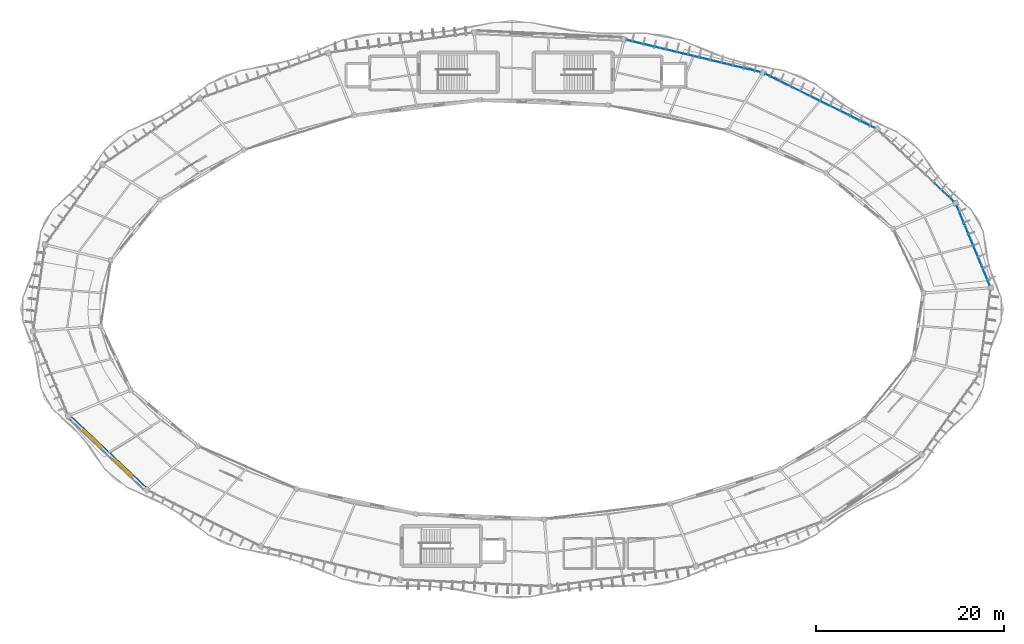
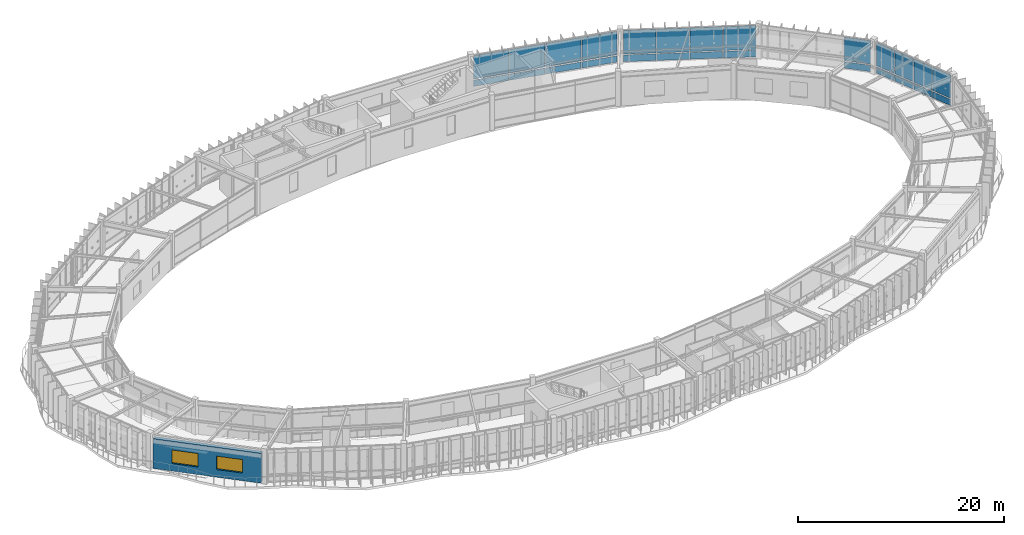
# One storey, part 66 of 79: 26 plates, 2 windows, 1 wall, 2 openings, 4 elements without a shape of their own.
"""IFC4 building model written with IfcOpenShell, lengths in metres."""

from ifc_helpers import new_model, si_unit, direction, frame, frame_2d, origin, origin_2d, place, context, subcontext, project, spatial, rectangle, extrude, material, layer, layer_set, type_object, element, fill, aggregate, save


model = new_model("IFC4")

# Units and contexts
model_context = context("Model", 3, precision=1e-05, world=origin(), true_north=direction((0.0, 1.0)))
body_context = subcontext(model_context, "Body", "Model", "MODEL_VIEW")
ifc_project = project(units=[si_unit("LENGTHUNIT", "METRE"), si_unit("AREAUNIT", "SQUARE_METRE"), si_unit("VOLUMEUNIT", "CUBIC_METRE"), si_unit("PLANEANGLEUNIT", "RADIAN"), si_unit("MASSUNIT", "GRAM", prefix="KILO"), si_unit("THERMODYNAMICTEMPERATUREUNIT", "KELVIN"), si_unit("POWERUNIT", "WATT")], contexts=[model_context])

# Site, building, storey
site_placement = place(None, origin())
site = spatial("IfcSite", under=ifc_project, at=site_placement, CompositionType="ELEMENT")
building_placement = place(site_placement, origin())
building = spatial("IfcBuilding", under=site, at=building_placement, Name="Darbajah Civic Hall", CompositionType="ELEMENT")
storey_placement = place(building_placement, frame((0.0, 0.0, 22.199951171875)))
storey = spatial("IfcBuildingStorey", under=building, at=storey_placement, Name="L05", CompositionType="ELEMENT", Elevation=22.199951171875)

# Curtain wall, plates
ifc_material_1 = material(Name="Anodised Bronze Aluminium and Low-E Glazing", Category="aluminium")
curtain_wall_type_1 = type_object("IfcCurtainWallType", Name="Unitised Curtain Wall CW-79 13000x3900", PredefinedType="USERDEFINED", material=ifc_material_1)
curtain_wall_1_placement = place(storey_placement, origin())
curtain_wall_1 = element("IfcCurtainWall", 1, at=curtain_wall_1_placement, inside=storey, type_object=curtain_wall_type_1, Name="L05 unitised curtain wall CW-V1O-L05-02", ObjectType="UNITISED CURTAIN WALL", PredefinedType="USERDEFINED")
ifc_material_2 = material(Name="Low-E Solar Control Double Glazing", Category="glass")
ifc_layer_1 = layer(ifc_material_2, 0.02392578125, Name="Low-E Solar Control Double Glazing")
ifc_layer_set_1 = layer_set([ifc_layer_1], Name="Low-E Solar Control Double Glazing")
plate_type_1 = type_object("IfcPlateType", Name="Solar Double Glazing 24mm", PredefinedType="CURTAIN_PANEL", material=ifc_layer_set_1)
plate_1_placement = place(storey_placement, frame((126.177978515625, 109.800048828125, 0.10009765625), z_axis=(0.0, 0.0, 1.0), x_axis=(-0.89656374724, 0.442914717678, 0.0)))
plate_1 = element("IfcPlate", 2, at=plate_1_placement, type_object=plate_type_1, Name="CW-V1O-L05-02 glazed panel 1.1", PredefinedType="CURTAIN_PANEL", context=body_context, shape_type="SweptSolid", body=[
    extrude(rectangle(XDim=3.1796875, YDim=0.02392578125, at=origin_2d()), origin(), (0.0, 0.0, 1.0), 0.800048828125),
])
plate_2_placement = place(storey_placement, frame((126.177978515625, 109.800048828125, 1.0), z_axis=(0.0, 0.0, 1.0), x_axis=(-0.89656374724, 0.442914717678, 0.0)))
plate_2 = element("IfcPlate", 3, at=plate_2_placement, type_object=plate_type_1, Name="CW-V1O-L05-02 glazed panel 1.2", PredefinedType="CURTAIN_PANEL", context=body_context, shape_type="SweptSolid", body=[
    extrude(rectangle(XDim=3.1796875, YDim=0.02392578125, at=origin_2d()), origin(), (0.0, 0.0, 1.0), 2.820068359375),
])
plate_3_placement = place(storey_placement, frame((123.268798828125, 111.2373046875, 0.10009765625), z_axis=(0.0, 0.0, 1.0), x_axis=(-0.89656374724, 0.442914717678, 0.0)))
plate_3 = element("IfcPlate", 4, at=plate_3_placement, type_object=plate_type_1, Name="CW-V1O-L05-02 glazed panel 2.1", PredefinedType="CURTAIN_PANEL", context=body_context, shape_type="SweptSolid", body=[
    extrude(rectangle(XDim=3.1796875, YDim=0.02392578125, at=origin_2d()), origin(), (0.0, 0.0, 1.0), 0.800048828125),
])
plate_4_placement = place(storey_placement, frame((123.268798828125, 111.2373046875, 1.0), z_axis=(0.0, 0.0, 1.0), x_axis=(-0.89656374724, 0.442914717678, 0.0)))
plate_4 = element("IfcPlate", 5, at=plate_4_placement, type_object=plate_type_1, Name="CW-V1O-L05-02 glazed panel 2.2", PredefinedType="CURTAIN_PANEL", context=body_context, shape_type="SweptSolid", body=[
    extrude(rectangle(XDim=3.1796875, YDim=0.02392578125, at=origin_2d()), origin(), (0.0, 0.0, 1.0), 2.820068359375),
])
plate_5_placement = place(storey_placement, frame((120.359375, 112.67431640625, 0.10009765625), z_axis=(0.0, 0.0, 1.0), x_axis=(-0.89656374724, 0.442914717678, 0.0)))
plate_5 = element("IfcPlate", 6, at=plate_5_placement, type_object=plate_type_1, Name="CW-V1O-L05-02 glazed panel 3.1", PredefinedType="CURTAIN_PANEL", context=body_context, shape_type="SweptSolid", body=[
    extrude(rectangle(XDim=3.1796875, YDim=0.02392578125, at=origin_2d()), origin(), (0.0, 0.0, 1.0), 0.800048828125),
])
plate_6_placement = place(storey_placement, frame((120.359375, 112.67431640625, 1.0), z_axis=(0.0, 0.0, 1.0), x_axis=(-0.89656374724, 0.442914717678, 0.0)))
plate_6 = element("IfcPlate", 7, at=plate_6_placement, type_object=plate_type_1, Name="CW-V1O-L05-02 glazed panel 3.2", PredefinedType="CURTAIN_PANEL", context=body_context, shape_type="SweptSolid", body=[
    extrude(rectangle(XDim=3.1796875, YDim=0.02392578125, at=origin_2d()), origin(), (0.0, 0.0, 1.0), 2.820068359375),
])
plate_7_placement = place(storey_placement, frame((117.4501953125, 114.111572265625, 0.10009765625), z_axis=(0.0, 0.0, 1.0), x_axis=(-0.89656374724, 0.442914717678, 0.0)))
plate_7 = element("IfcPlate", 8, at=plate_7_placement, type_object=plate_type_1, Name="CW-V1O-L05-02 glazed panel 4.1", PredefinedType="CURTAIN_PANEL", context=body_context, shape_type="SweptSolid", body=[
    extrude(rectangle(XDim=3.1796875, YDim=0.02392578125, at=origin_2d()), origin(), (0.0, 0.0, 1.0), 0.800048828125),
])
plate_8_placement = place(storey_placement, frame((117.4501953125, 114.111572265625, 1.0), z_axis=(0.0, 0.0, 1.0), x_axis=(-0.89656374724, 0.442914717678, 0.0)))
plate_8 = element("IfcPlate", 9, at=plate_8_placement, type_object=plate_type_1, Name="CW-V1O-L05-02 glazed panel 4.2", PredefinedType="CURTAIN_PANEL", context=body_context, shape_type="SweptSolid", body=[
    extrude(rectangle(XDim=3.1796875, YDim=0.02392578125, at=origin_2d()), origin(), (0.0, 0.0, 1.0), 2.820068359375),
])
aggregate(curtain_wall_1, [plate_1, plate_2, plate_3, plate_4, plate_5, plate_6, plate_7, plate_8])

curtain_wall_type_2 = type_object("IfcCurtainWallType", Name="Unitised Curtain Wall CW-63 10900x3900", PredefinedType="USERDEFINED", material=ifc_material_1)
curtain_wall_2_placement = place(storey_placement, origin())
curtain_wall_2 = element("IfcCurtainWall", 10, at=curtain_wall_2_placement, inside=storey, type_object=curtain_wall_type_2, Name="L05 unitised curtain wall CW-V1O-L05-01", ObjectType="UNITISED CURTAIN WALL", PredefinedType="USERDEFINED")
ifc_layer_2 = layer(ifc_material_2, 0.028076171875, Name="Low-E Solar Control Double Glazing")
ifc_layer_set_2 = layer_set([ifc_layer_2], Name="Low-E Solar Control Double Glazing")
plate_type_2 = type_object("IfcPlateType", Name="Solar Double Glazing 28mm", PredefinedType="CURTAIN_PANEL", material=ifc_layer_set_2)
plate_9_placement = place(storey_placement, frame((135.024658203125, 102.215576171875, 0.1201171875), z_axis=(0.0, 0.0, 1.0), x_axis=(-0.727173991201, 0.686453193248, 0.0)))
plate_9 = element("IfcPlate", 11, at=plate_9_placement, type_object=plate_type_2, Name="CW-V1O-L05-01 glazed panel 1.1", PredefinedType="CURTAIN_PANEL", context=body_context, shape_type="SweptSolid", body=[
    extrude(rectangle(XDim=2.65771484375, YDim=0.028076171875, at=origin_2d()), origin(), (0.0, 0.0, 1.0), 0.77001953125),
])
plate_10_placement = place(storey_placement, frame((135.024658203125, 102.215576171875, 1.010009765625), z_axis=(0.0, 0.0, 1.0), x_axis=(-0.727173991201, 0.686453193248, 0.0)))
plate_10 = element("IfcPlate", 12, at=plate_10_placement, type_object=plate_type_2, Name="CW-V1O-L05-01 glazed panel 1.2", PredefinedType="CURTAIN_PANEL", context=body_context, shape_type="SweptSolid", body=[
    extrude(rectangle(XDim=2.65771484375, YDim=0.028076171875, at=origin_2d()), origin(), (0.0, 0.0, 1.0), 2.7900390625),
])
aggregate(curtain_wall_2, [plate_9, plate_10])

curtain_wall_type_3 = type_object("IfcCurtainWallType", Name="Unitised Curtain Wall CW-77 9200x3900", PredefinedType="USERDEFINED", material=ifc_material_1)
curtain_wall_3_placement = place(storey_placement, origin())
curtain_wall_3 = element("IfcCurtainWall", 13, at=curtain_wall_3_placement, inside=storey, type_object=curtain_wall_type_3, Name="L05 unitised curtain wall CW-V1O-L05-00", ObjectType="UNITISED CURTAIN WALL", PredefinedType="USERDEFINED")
ifc_layer_3 = layer(ifc_material_2, 0.031982421875, Name="Low-E Solar Control Double Glazing")
ifc_layer_set_3 = layer_set([ifc_layer_3], Name="Low-E Solar Control Double Glazing")
plate_type_3 = type_object("IfcPlateType", Name="Solar Double Glazing 32mm", PredefinedType="CURTAIN_PANEL", material=ifc_layer_set_3)
plate_11_placement = place(storey_placement, frame((139.3974609375, 93.42822265625, 0.14013671875), z_axis=(0.0, 0.0, 1.0), x_axis=(-0.383328328644, 0.923612143954, 0.0)))
plate_11 = element("IfcPlate", 14, at=plate_11_placement, type_object=plate_type_3, Name="CW-V1O-L05-00 glazed panel 1.1", PredefinedType="CURTAIN_PANEL", context=body_context, shape_type="SweptSolid", body=[
    extrude(rectangle(XDim=2.2158203125, YDim=0.031982421875, at=origin_2d()), origin(), (0.0, 0.0, 1.0), 0.739990234375),
])
plate_12_placement = place(storey_placement, frame((139.3974609375, 93.42822265625, 1.02001953125), z_axis=(0.0, 0.0, 1.0), x_axis=(-0.383328328644, 0.923612143954, 0.0)))
plate_12 = element("IfcPlate", 15, at=plate_12_placement, type_object=plate_type_3, Name="CW-V1O-L05-00 glazed panel 1.2", PredefinedType="CURTAIN_PANEL", context=body_context, shape_type="SweptSolid", body=[
    extrude(rectangle(XDim=2.2158203125, YDim=0.031982421875, at=origin_2d()), origin(), (0.0, 0.0, 1.0), 2.760009765625),
])
plate_13_placement = place(storey_placement, frame((138.519287109375, 95.5439453125, 0.14013671875), z_axis=(0.0, 0.0, 1.0), x_axis=(-0.383328328644, 0.923612143954, 0.0)))
plate_13 = element("IfcPlate", 16, at=plate_13_placement, type_object=plate_type_3, Name="CW-V1O-L05-00 glazed panel 2.1", PredefinedType="CURTAIN_PANEL", context=body_context, shape_type="SweptSolid", body=[
    extrude(rectangle(XDim=2.2158203125, YDim=0.031982421875, at=origin_2d()), origin(), (0.0, 0.0, 1.0), 0.739990234375),
])
plate_14_placement = place(storey_placement, frame((138.519287109375, 95.5439453125, 1.02001953125), z_axis=(0.0, 0.0, 1.0), x_axis=(-0.383328328644, 0.923612143954, 0.0)))
plate_14 = element("IfcPlate", 17, at=plate_14_placement, type_object=plate_type_3, Name="CW-V1O-L05-00 glazed panel 2.2", PredefinedType="CURTAIN_PANEL", context=body_context, shape_type="SweptSolid", body=[
    extrude(rectangle(XDim=2.2158203125, YDim=0.031982421875, at=origin_2d()), origin(), (0.0, 0.0, 1.0), 2.760009765625),
])
plate_15_placement = place(storey_placement, frame((137.641357421875, 97.659912109375, 0.14013671875), z_axis=(0.0, 0.0, 1.0), x_axis=(-0.383328328644, 0.923612143954, 0.0)))
plate_15 = element("IfcPlate", 18, at=plate_15_placement, type_object=plate_type_3, Name="CW-V1O-L05-00 glazed panel 3.1", PredefinedType="CURTAIN_PANEL", context=body_context, shape_type="SweptSolid", body=[
    extrude(rectangle(XDim=2.2158203125, YDim=0.031982421875, at=origin_2d()), origin(), (0.0, 0.0, 1.0), 0.739990234375),
])
plate_16_placement = place(storey_placement, frame((137.641357421875, 97.659912109375, 1.02001953125), z_axis=(0.0, 0.0, 1.0), x_axis=(-0.383328328644, 0.923612143954, 0.0)))
plate_16 = element("IfcPlate", 19, at=plate_16_placement, type_object=plate_type_3, Name="CW-V1O-L05-00 glazed panel 3.2", PredefinedType="CURTAIN_PANEL", context=body_context, shape_type="SweptSolid", body=[
    extrude(rectangle(XDim=2.2158203125, YDim=0.031982421875, at=origin_2d()), origin(), (0.0, 0.0, 1.0), 2.760009765625),
])
plate_17_placement = place(storey_placement, frame((136.76318359375, 99.775634765625, 0.14013671875), z_axis=(0.0, 0.0, 1.0), x_axis=(-0.383328328644, 0.923612143954, 0.0)))
plate_17 = element("IfcPlate", 20, at=plate_17_placement, type_object=plate_type_3, Name="CW-V1O-L05-00 glazed panel 4.1", PredefinedType="CURTAIN_PANEL", context=body_context, shape_type="SweptSolid", body=[
    extrude(rectangle(XDim=2.2158203125, YDim=0.031982421875, at=origin_2d()), origin(), (0.0, 0.0, 1.0), 0.739990234375),
])
plate_18_placement = place(storey_placement, frame((136.76318359375, 99.775634765625, 1.02001953125), z_axis=(0.0, 0.0, 1.0), x_axis=(-0.383328328644, 0.923612143954, 0.0)))
plate_18 = element("IfcPlate", 21, at=plate_18_placement, type_object=plate_type_3, Name="CW-V1O-L05-00 glazed panel 4.2", PredefinedType="CURTAIN_PANEL", context=body_context, shape_type="SweptSolid", body=[
    extrude(rectangle(XDim=2.2158203125, YDim=0.031982421875, at=origin_2d()), origin(), (0.0, 0.0, 1.0), 2.760009765625),
])
aggregate(curtain_wall_3, [plate_11, plate_12, plate_13, plate_14, plate_15, plate_16, plate_17, plate_18])

curtain_wall_type_4 = type_object("IfcCurtainWallType", Name="Unitised Curtain Wall CW-64 14600x3900", PredefinedType="USERDEFINED", material=ifc_material_1)
curtain_wall_4_placement = place(storey_placement, origin())
curtain_wall_4 = element("IfcCurtainWall", 22, at=curtain_wall_4_placement, inside=storey, type_object=curtain_wall_type_4, Name="L05 unitised curtain wall CW-V1O-L05-03", ObjectType="UNITISED CURTAIN WALL", PredefinedType="USERDEFINED")
plate_19_placement = place(storey_placement, frame((113.70263671875, 115.442626953125, 0.14013671875), z_axis=(0.0, 0.0, 1.0), x_axis=(-0.972492018808, 0.232936200179, 0.0)))
plate_19 = element("IfcPlate", 23, at=plate_19_placement, type_object=plate_type_3, Name="CW-V1O-L05-03 glazed panel 1.1", PredefinedType="CURTAIN_PANEL", context=body_context, shape_type="SweptSolid", body=[
    extrude(rectangle(XDim=3.576171875, YDim=0.031982421875, at=origin_2d()), origin(), (0.0, 0.0, 1.0), 0.739990234375),
])
plate_20_placement = place(storey_placement, frame((113.70263671875, 115.442626953125, 1.02001953125), z_axis=(0.0, 0.0, 1.0), x_axis=(-0.972492018808, 0.232936200179, 0.0)))
plate_20 = element("IfcPlate", 24, at=plate_20_placement, type_object=plate_type_3, Name="CW-V1O-L05-03 glazed panel 1.2", PredefinedType="CURTAIN_PANEL", context=body_context, shape_type="SweptSolid", body=[
    extrude(rectangle(XDim=3.576171875, YDim=0.031982421875, at=origin_2d()), origin(), (0.0, 0.0, 1.0), 2.760009765625),
])
plate_21_placement = place(storey_placement, frame((110.15185546875, 116.293701171875, 0.14013671875), z_axis=(0.0, 0.0, 1.0), x_axis=(-0.972492018808, 0.232936200179, 0.0)))
plate_21 = element("IfcPlate", 25, at=plate_21_placement, type_object=plate_type_3, Name="CW-V1O-L05-03 glazed panel 2.1", PredefinedType="CURTAIN_PANEL", context=body_context, shape_type="SweptSolid", body=[
    extrude(rectangle(XDim=3.576171875, YDim=0.031982421875, at=origin_2d()), origin(), (0.0, 0.0, 1.0), 0.739990234375),
])
plate_22_placement = place(storey_placement, frame((110.15185546875, 116.293701171875, 1.02001953125), z_axis=(0.0, 0.0, 1.0), x_axis=(-0.972492018808, 0.232936200179, 0.0)))
plate_22 = element("IfcPlate", 26, at=plate_22_placement, type_object=plate_type_3, Name="CW-V1O-L05-03 glazed panel 2.2", PredefinedType="CURTAIN_PANEL", context=body_context, shape_type="SweptSolid", body=[
    extrude(rectangle(XDim=3.576171875, YDim=0.031982421875, at=origin_2d()), origin(), (0.0, 0.0, 1.0), 2.760009765625),
])
plate_23_placement = place(storey_placement, frame((106.601318359375, 117.144287109375, 0.14013671875), z_axis=(0.0, 0.0, 1.0), x_axis=(-0.972492018808, 0.232936200179, 0.0)))
plate_23 = element("IfcPlate", 27, at=plate_23_placement, type_object=plate_type_3, Name="CW-V1O-L05-03 glazed panel 3.1", PredefinedType="CURTAIN_PANEL", context=body_context, shape_type="SweptSolid", body=[
    extrude(rectangle(XDim=3.576171875, YDim=0.031982421875, at=origin_2d()), origin(), (0.0, 0.0, 1.0), 0.739990234375),
])
plate_24_placement = place(storey_placement, frame((106.601318359375, 117.144287109375, 1.02001953125), z_axis=(0.0, 0.0, 1.0), x_axis=(-0.972492018808, 0.232936200179, 0.0)))
plate_24 = element("IfcPlate", 28, at=plate_24_placement, type_object=plate_type_3, Name="CW-V1O-L05-03 glazed panel 3.2", PredefinedType="CURTAIN_PANEL", context=body_context, shape_type="SweptSolid", body=[
    extrude(rectangle(XDim=3.576171875, YDim=0.031982421875, at=origin_2d()), origin(), (0.0, 0.0, 1.0), 2.760009765625),
])
plate_25_placement = place(storey_placement, frame((103.050537109375, 117.9951171875, 0.14013671875), z_axis=(0.0, 0.0, 1.0), x_axis=(-0.972492018808, 0.232936200179, 0.0)))
plate_25 = element("IfcPlate", 29, at=plate_25_placement, type_object=plate_type_3, Name="CW-V1O-L05-03 glazed panel 4.1", PredefinedType="CURTAIN_PANEL", context=body_context, shape_type="SweptSolid", body=[
    extrude(rectangle(XDim=3.576171875, YDim=0.031982421875, at=origin_2d()), origin(), (0.0, 0.0, 1.0), 0.739990234375),
])
plate_26_placement = place(storey_placement, frame((103.050537109375, 117.9951171875, 1.02001953125), z_axis=(0.0, 0.0, 1.0), x_axis=(-0.972492018808, 0.232936200179, 0.0)))
plate_26 = element("IfcPlate", 30, at=plate_26_placement, type_object=plate_type_3, Name="CW-V1O-L05-03 glazed panel 4.2", PredefinedType="CURTAIN_PANEL", context=body_context, shape_type="SweptSolid", body=[
    extrude(rectangle(XDim=3.576171875, YDim=0.031982421875, at=origin_2d()), origin(), (0.0, 0.0, 1.0), 2.760009765625),
])
aggregate(curtain_wall_4, [plate_19, plate_20, plate_21, plate_22, plate_23, plate_24, plate_25, plate_26])

# Wall, openings, windows
ifc_material_3 = material(Name="Qatari Desert Limestone Ashlar", Category="masonry")
ifc_layer_4 = layer(ifc_material_3, 0.419921875, Name="Qatari Desert Limestone Ashlar")
ifc_layer_set_4 = layer_set([ifc_layer_4], Name="Qatari Desert Limestone Ashlar")
wall_type = type_object("IfcWallType", Name="Exterior Wall 420mm", PredefinedType="SOLIDWALL", material=ifc_layer_set_4)
wall_placement = place(storey_placement, frame((42.247802734375, 78.260009765625, 0.0), z_axis=(0.0, 0.0, 1.0), x_axis=(0.727213208919, -0.686411646735, 0.0)))
wall = element("IfcWall", 31, at=wall_placement, inside=storey, type_object=wall_type, Name="L05 exterior wall EW-420", PredefinedType="SOLIDWALL", context=body_context, shape_type="SweptSolid", body=[
    extrude(rectangle(XDim=10.79443359375, YDim=0.419921875, at=frame_2d((5.397216796875, 0.0))), origin(), (0.0, 0.0, 1.0), 3.52001953125),
])
opening_1_placement = place(wall_placement, frame((1.86474609375, 0.0, 0.89990234375)))
opening_1 = element("IfcOpeningElement", 32, at=opening_1_placement, cuts=wall, Name="Opening WN-28", PredefinedType="OPENING", context=body_context, shape_type="SweptSolid", body=[
    extrude(rectangle(XDim=2.60009765625, YDim=1.60009765625, at=frame_2d((1.300048828125, 0.800048828125))), frame((0.0, 0.219970703125, 0.0), z_axis=(0.0, -1.0, 0.0), x_axis=(1.0, 0.0, 0.0)), (0.0, 0.0, 1.0), 0.43994140625),
])
opening_2_placement = place(wall_placement, frame((6.32958984375, 0.0, 0.89990234375)))
opening_2 = element("IfcOpeningElement", 33, at=opening_2_placement, cuts=wall, Name="Opening WN-28", PredefinedType="OPENING", context=body_context, shape_type="SweptSolid", body=[
    extrude(rectangle(XDim=2.60009765625, YDim=1.60009765625, at=frame_2d((1.300048828125, 0.800048828125))), frame((0.0, 0.219970703125, 0.0), z_axis=(0.0, -1.0, 0.0), x_axis=(1.0, 0.0, 0.0)), (0.0, 0.0, 1.0), 0.43994140625),
])
window_type = type_object("IfcWindowType", Name="Facade Window 2600x1600", PartitioningType="DOUBLE_PANEL_VERTICAL", PredefinedType="WINDOW", material=ifc_material_2)
window_1_placement = place(opening_1_placement, origin())
window_1 = element("IfcWindow", 34, at=window_1_placement, inside=storey, type_object=window_type, Name="L05 facade window WN-28", OverallHeight=1.60009765625, OverallWidth=2.60009765625, PartitioningType="SINGLE_PANEL", PredefinedType="WINDOW", context=body_context, shape_type="SweptSolid", body=[
    extrude(rectangle(XDim=2.60009765625, YDim=1.60009765625, at=frame_2d((1.300048828125, 0.800048828125))), frame((0.0, 0.030029296875, 0.0), z_axis=(0.0, -1.0, 0.0), x_axis=(1.0, 0.0, 0.0)), (0.0, 0.0, 1.0), 0.06005859375),
])
fill(opening_1, window_1)
window_2_placement = place(opening_2_placement, origin())
window_2 = element("IfcWindow", 35, at=window_2_placement, inside=storey, type_object=window_type, Name="L05 facade window WN-28", OverallHeight=1.60009765625, OverallWidth=2.60009765625, PartitioningType="SINGLE_PANEL", PredefinedType="WINDOW", context=body_context, shape_type="SweptSolid", body=[
    extrude(rectangle(XDim=2.60009765625, YDim=1.60009765625, at=frame_2d((1.300048828125, 0.800048828125))), frame((0.0, 0.030029296875, 0.0), z_axis=(0.0, -1.0, 0.0), x_axis=(1.0, 0.0, 0.0)), (0.0, 0.0, 1.0), 0.06005859375),
])
fill(opening_2, window_2)

save(model, "model.ifc")
